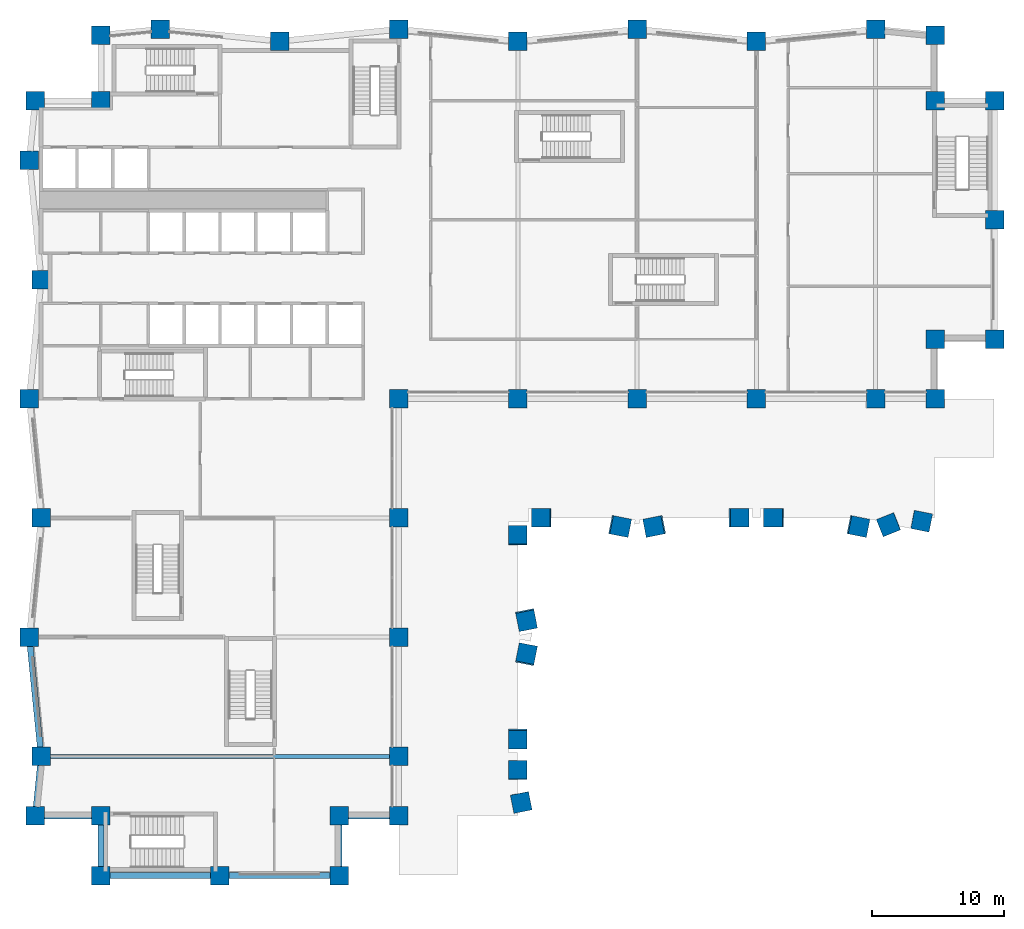
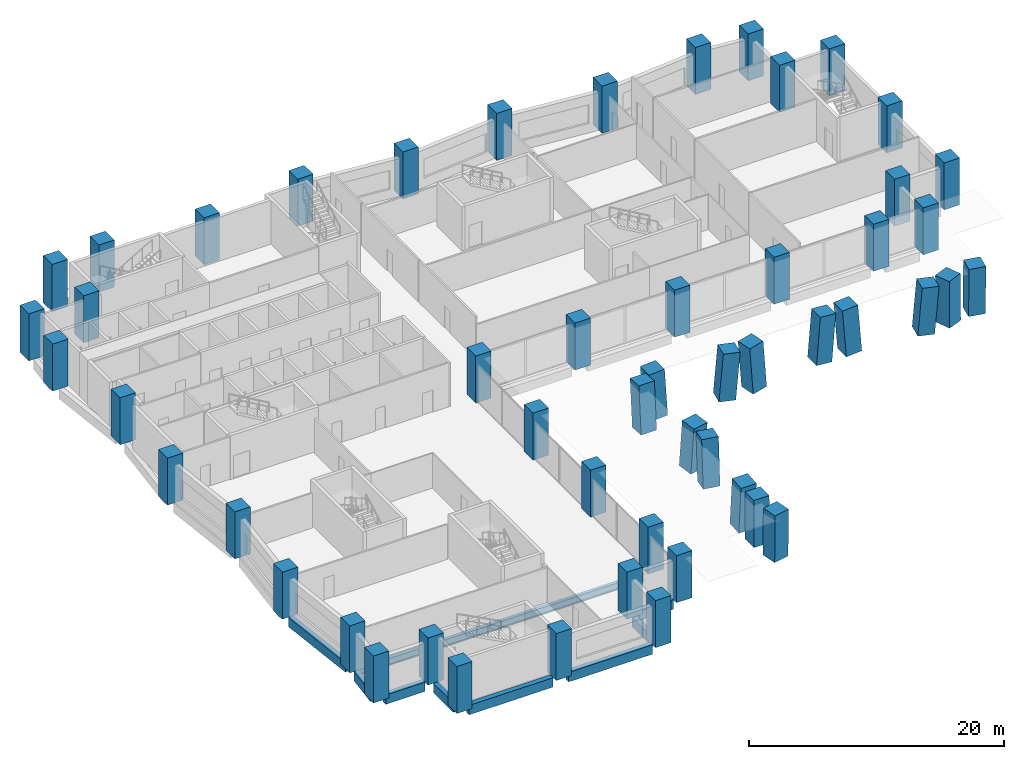
# One storey, part 1 of 18: 52 columns, 9 beams.
"""IFC4 building model written with IfcOpenShell, lengths in metres."""

from ifc_helpers import new_model, si_unit, direction, frame, origin, origin_2d, place, context, subcontext, project, spatial, rectangle, i_section, extrude, material, material_profile, profile_set, type_object, element, save


model = new_model("IFC4")

# Units and contexts
model_context = context("Model", 3, precision=1e-05, world=origin(), true_north=direction((0.0, 1.0)))
body_context = subcontext(model_context, "Body", "Model", "MODEL_VIEW")
ifc_project = project(units=[si_unit("LENGTHUNIT", "METRE"), si_unit("AREAUNIT", "SQUARE_METRE"), si_unit("VOLUMEUNIT", "CUBIC_METRE"), si_unit("PLANEANGLEUNIT", "RADIAN"), si_unit("MASSUNIT", "GRAM", prefix="KILO")], contexts=[model_context])

# Site, building, storey
site_placement = place(None, origin())
site = spatial("IfcSite", under=ifc_project, at=site_placement, CompositionType="ELEMENT")
building_placement = place(site_placement, origin())
building = spatial("IfcBuilding", under=site, at=building_placement, Name="Brondeck Convention Tower", CompositionType="ELEMENT")
storey_placement = place(building_placement, frame((0.0, 0.0, 27.5)))
storey = spatial("IfcBuildingStorey", under=building, at=storey_placement, Name="L04", CompositionType="ELEMENT", Elevation=27.5)

# Columns
ifc_material_1 = material(Name="Concrete C80/95", Category="concrete")
ifc_material_profile_1 = material_profile(ifc_material_1, rectangle(XDim=1.39990234375, YDim=1.39990234375, at=origin_2d()), Name="Mega column 1400x1400 Concrete C80/95")
ifc_profile_set_1 = profile_set([ifc_material_profile_1], Name="Concrete C80/95")
column_type_1 = type_object("IfcColumnType", Name="Mega column 1400x1400 Concrete C80/95", PredefinedType="COLUMN", material=ifc_profile_set_1)
for number, where, z_axis, x_axis, name in (
    (1, (4.5, 0.0, 0.0), (0.0, 0.0, 1.0), (1.0, 0.0, 0.0), "STR-COL-L04-BC-B-S-01"),
    (2, (13.5, 0.0, 0.0), (0.0, 0.0, 1.0), (1.0, 0.0, 0.0), "STR-COL-L04-BC-B-S-02"),
    (3, (22.5, 0.0, 0.0), (0.0, 0.0, 1.0), (1.0, 0.0, 0.0), "STR-COL-L04-BC-B-S-03"),
    (4, (27.0, 4.5, 0.0), (0.0, 0.0, 1.0), (1.0, 0.0, 0.0), "STR-COL-L04-BC-B-E-07"),
    (5, (27.0, 9.0, 0.0), (0.0, 0.0, 1.0), (1.0, 0.0, 0.0), "STR-COL-L04-BC-B-E-06"),
    (6, (27.0, 18.0, 0.0), (0.0, 0.0, 1.0), (1.0, 0.0, 0.0), "STR-COL-L04-BC-B-E-04"),
    (7, (27.0, 27.0, 0.0), (0.0, 0.0, 1.0), (1.0, 0.0, 0.0), "STR-COL-L04-BC-B-E-02"),
    (8, (27.0, 36.0, 0.0), (0.0, 0.0, 1.0), (1.0, 0.0, 0.0), "STR-COL-L04-BC-B-E-00"),
    (9, (36.0, 36.0, 0.0), (0.0, 0.0, 1.0), (1.0, 0.0, 0.0), "STR-COL-L04-BC-A-S-02"),
    (10, (45.0, 36.0, 0.0), (0.0, 0.0, 1.0), (1.0, 0.0, 0.0), "STR-COL-L04-BC-A-S-04"),
    (11, (54.0, 36.0, 0.0), (0.0, 0.0, 1.0), (1.0, 0.0, 0.0), "STR-COL-L04-BC-A-S-06"),
    (12, (63.0, 36.0, 0.0), (0.0, 0.0, 1.0), (1.0, 0.0, 0.0), "STR-COL-L04-BC-A-S-08"),
    (13, (67.5, 36.0, 0.0), (0.0, 0.0, 1.0), (1.0, 0.0, 0.0), "STR-COL-L04-BC-A-S-09"),
    (14, (72.0, 40.5, 0.0), (0.0, 0.0, 1.0), (1.0, 0.0, 0.0), "STR-COL-L04-BC-A-E-01"),
    (15, (72.0, 49.5, 0.0), (0.0, 0.0, 1.0), (1.0, 0.0, 0.0), "STR-COL-L04-BC-A-E-02"),
    (16, (72.0, 58.5, 0.0), (0.0, 0.0, 1.0), (1.0, 0.0, 0.0), "STR-COL-L04-BC-A-E-03"),
    (17, (67.5, 63.449951171875, 0.0), (0.0, 0.0, 1.0), (1.0, 0.0, 0.0), "STR-COL-L04-BC-A-N-15"),
    (18, (63.0, 63.89990234375, 0.0), (0.0, 0.0, 1.0), (1.0, 0.0, 0.0), "STR-COL-L04-BC-A-N-14"),
    (19, (54.0, 63.0, 0.0), (0.0, 0.0, 1.0), (1.0, 0.0, 0.0), "STR-COL-L04-BC-A-N-12"),
    (20, (45.0, 63.89990234375, 0.0), (0.0, 0.0, 1.0), (1.0, 0.0, 0.0), "STR-COL-L04-BC-A-N-10"),
    (21, (36.0, 63.0, 0.0), (0.0, 0.0, 1.0), (1.0, 0.0, 0.0), "STR-COL-L04-BC-A-N-08"),
    (22, (27.0, 63.89990234375, 0.0), (0.0, 0.0, 1.0), (1.0, 0.0, 0.0), "STR-COL-L04-BC-A-N-06"),
    (23, (18.0, 63.0, 0.0), (0.0, 0.0, 1.0), (1.0, 0.0, 0.0), "STR-COL-L04-BC-A-N-04"),
    (24, (9.0, 63.89990234375, 0.0), (0.0, 0.0, 1.0), (1.0, 0.0, 0.0), "STR-COL-L04-BC-A-N-02"),
    (25, (4.5, 63.449951171875, 0.0), (0.0, 0.0, 1.0), (1.0, 0.0, 0.0), "STR-COL-L04-BC-A-N-01"),
    (26, (-0.449951171875, 58.5, 0.0), (0.0, 0.0, 1.0), (1.0, 0.0, 0.0), "STR-COL-L04-BC-B-W-01"),
    (27, (-0.89990234375, 54.0, 0.0), (0.0, 0.0, 1.0), (1.0, 0.0, 0.0), "STR-COL-L04-BC-B-W-02"),
    (28, (0.0, 45.0, 0.0), (0.0, 0.0, 1.0), (1.0, 0.0, 0.0), "STR-COL-L04-BC-B-W-04"),
    (29, (-0.89990234375, 36.0, 0.0), (0.0, 0.0, 1.0), (1.0, 0.0, 0.0), "STR-COL-L04-BC-B-W-06"),
    (30, (0.0, 27.0, 0.0), (0.0, 0.0, 1.0), (1.0, 0.0, 0.0), "STR-COL-L04-BC-B-W-08"),
    (31, (-0.89990234375, 18.0, 0.0), (0.0, 0.0, 1.0), (1.0, 0.0, 0.0), "STR-COL-L04-BC-B-W-10"),
    (32, (0.0, 9.0, 0.0), (0.0, 0.0, 1.0), (1.0, 0.0, 0.0), "STR-COL-L04-BC-B-W-12"),
    (33, (-0.449951171875, 4.5, 0.0), (0.0, 0.0, 1.0), (1.0, 0.0, 0.0), "STR-COL-L04-BC-B-W-13"),
    (34, (4.5, 4.5, 0.0), (0.0, 0.0, 1.0), (1.0, 0.0, 0.0), "STR-COL-L04-NC-SWB"),
    (35, (22.5, 4.5, 0.0), (0.0, 0.0, 1.0), (1.0, 0.0, 0.0), "STR-COL-L04-NC-SEB"),
    (36, (67.5, 40.5, 0.0), (0.0, 0.0, 1.0), (1.0, 0.0, 0.0), "STR-COL-L04-NC-SEA"),
    (37, (67.5, 58.5, 0.0), (0.0, 0.0, 1.0), (1.0, 0.0, 0.0), "STR-COL-L04-NC-NEA"),
    (38, (4.5, 58.5, 0.0), (0.0, 0.0, 1.0), (1.0, 0.0, 0.0), "STR-COL-L04-NC-NW"),
):
    element("IfcColumn", number, at=place(storey_placement, frame(where, z_axis=z_axis, x_axis=x_axis)), inside=storey, type_object=column_type_1, Name=name, PredefinedType="COLUMN", context=body_context, shape_type="SweptSolid", body=[
        extrude(rectangle(XDim=1.39990234375, YDim=1.39990234375, at=origin_2d()), origin(), (0.0, 0.0, 1.0), 4.5),
    ])
ifc_material_profile_2 = material_profile(ifc_material_1, rectangle(XDim=1.39990234375, YDim=1.39990234375, at=origin_2d()), Name="Raking V column 1400x1400 Concrete C80/95")
ifc_profile_set_2 = profile_set([ifc_material_profile_2], Name="Concrete C80/95")
column_type_2 = type_object("IfcColumnType", Name="Raking V column 1400x1400 Concrete C80/95", PredefinedType="COLUMN", material=ifc_profile_set_2)
column_1_placement = place(storey_placement, frame((37.78125, 27.0, 0.0), z_axis=(-0.062378286155, 0.0, 0.998052578483), x_axis=(0.0, -1.0, 0.0)))
element("IfcColumn", 39, at=column_1_placement, inside=storey, type_object=column_type_2, Name="STR-COL-L04-V-A-S-1-W", PredefinedType="COLUMN", context=body_context, shape_type="SweptSolid", body=[
    extrude(rectangle(XDim=1.39990234375, YDim=1.39990234375, at=origin_2d()), origin(), (0.0, 0.0, 1.0), 4.5087890625),
])
for number, where, z_axis, x_axis, name in (
    (40, (43.662353515625, 26.367431640625, 0.0), (0.079114113988, -0.015790376818, 0.996740498308), (0.195729404783, 0.980657942457, 0.0), "STR-COL-L04-V-A-S-1-E"),
    (41, (46.337646484375, 26.367431640625, 0.0), (-0.079114113988, -0.015790376818, 0.996740498308), (0.195729404783, -0.980657942457, 0.0), "STR-COL-L04-V-A-S-2-W"),
):
    element("IfcColumn", number, at=place(storey_placement, frame(where, z_axis=z_axis, x_axis=x_axis)), inside=storey, type_object=column_type_2, Name=name, PredefinedType="COLUMN", context=body_context, shape_type="SweptSolid", body=[
        extrude(rectangle(XDim=1.39990234375, YDim=1.39990234375, at=origin_2d()), origin(), (0.0, 0.0, 1.0), 4.5146484375),
    ])
for number, where, z_axis, x_axis, name in (
    (42, (52.6484375, 27.0, 0.0), (0.077887667293, 0.0, 0.996962141349), (0.0, 1.0, 0.0), "STR-COL-L04-V-A-S-2-E"),
    (43, (55.3515625, 27.0, 0.0), (-0.077887667293, 0.0, 0.996962141349), (0.0, -1.0, 0.0), "STR-COL-L04-V-A-S-3-W"),
):
    element("IfcColumn", number, at=place(storey_placement, frame(where, z_axis=z_axis, x_axis=x_axis)), inside=storey, type_object=column_type_2, Name=name, PredefinedType="COLUMN", context=body_context, shape_type="SweptSolid", body=[
        extrude(rectangle(XDim=1.39990234375, YDim=1.39990234375, at=origin_2d()), origin(), (0.0, 0.0, 1.0), 4.513671875),
    ])
column_2_placement = place(storey_placement, frame((61.662353515625, 26.367431640625, 0.0), z_axis=(0.079114113988, -0.015790376818, 0.996740498308), x_axis=(0.195729404783, 0.980657942457, 0.0)))
element("IfcColumn", 44, at=column_2_placement, inside=storey, type_object=column_type_2, Name="STR-COL-L04-V-A-S-3-E", PredefinedType="COLUMN", context=body_context, shape_type="SweptSolid", body=[
    extrude(rectangle(XDim=1.39990234375, YDim=1.39990234375, at=origin_2d()), origin(), (0.0, 0.0, 1.0), 4.5146484375),
])
column_3_placement = place(storey_placement, frame((63.983642578125, 26.493408203125, 0.0), z_axis=(-0.012260217021, -0.004882387309, 0.999912920895), x_axis=(0.36997272351, -0.929042616815, 0.0)))
element("IfcColumn", 45, at=column_3_placement, inside=storey, type_object=column_type_2, Name="STR-COL-L04-V-A-S-4-W", PredefinedType="COLUMN", context=body_context, shape_type="SweptSolid", body=[
    extrude(rectangle(XDim=1.39990234375, YDim=1.39990234375, at=origin_2d()), origin(), (0.0, 0.0, 1.0), 4.50048828125),
])
column_4_placement = place(storey_placement, frame((66.478759765625, 26.754150390625, 0.0), z_axis=(0.009059943485, -0.001790288234, 0.999957355237), x_axis=(0.19385621806, 0.981029951999, 0.0)))
element("IfcColumn", 46, at=column_4_placement, inside=storey, type_object=column_type_2, Name="STR-COL-L04-V-A-S-4-E", PredefinedType="COLUMN", context=body_context, shape_type="SweptSolid", body=[
    extrude(rectangle(XDim=1.39990234375, YDim=1.39990234375, at=origin_2d()), origin(), (0.0, 0.0, 1.0), 4.500244140625),
])
column_5_placement = place(storey_placement, frame((36.0, 25.6484375, 0.0), z_axis=(0.0, 0.077887667293, 0.996962141349), x_axis=(-1.0, 0.0, 0.0)))
element("IfcColumn", 47, at=column_5_placement, inside=storey, type_object=column_type_2, Name="STR-COL-L04-V-B-E-1-W", PredefinedType="COLUMN", context=body_context, shape_type="SweptSolid", body=[
    extrude(rectangle(XDim=1.39990234375, YDim=1.39990234375, at=origin_2d()), origin(), (0.0, 0.0, 1.0), 4.513671875),
])
for number, where, z_axis, x_axis, name in (
    (48, (36.632568359375, 19.337646484375, 0.0), (0.015790376818, -0.079114113988, 0.996740498308), (0.980657942457, 0.195729404783, 0.0), "STR-COL-L04-V-B-E-1-E"),
    (49, (36.632568359375, 16.662353515625, 0.0), (0.015790376818, 0.079114113988, 0.996740498308), (-0.980657942457, 0.195729404783, 0.0), "STR-COL-L04-V-B-E-2-W"),
):
    element("IfcColumn", number, at=place(storey_placement, frame(where, z_axis=z_axis, x_axis=x_axis)), inside=storey, type_object=column_type_2, Name=name, PredefinedType="COLUMN", context=body_context, shape_type="SweptSolid", body=[
        extrude(rectangle(XDim=1.39990234375, YDim=1.39990234375, at=origin_2d()), origin(), (0.0, 0.0, 1.0), 4.5146484375),
    ])
column_6_placement = place(storey_placement, frame((36.0, 10.3515625, 0.0), z_axis=(0.0, -0.077887667293, 0.996962141349), x_axis=(1.0, 0.0, 0.0)))
element("IfcColumn", 50, at=column_6_placement, inside=storey, type_object=column_type_2, Name="STR-COL-L04-V-B-E-2-E", PredefinedType="COLUMN", context=body_context, shape_type="SweptSolid", body=[
    extrude(rectangle(XDim=1.39990234375, YDim=1.39990234375, at=origin_2d()), origin(), (0.0, 0.0, 1.0), 4.513671875),
])
for number, where, z_axis, x_axis, name in (
    (51, (36.0, 7.96484375, 0.0), (0.0, 0.007812261592, 0.999969483819), (-1.0, 0.0, 0.0), "STR-COL-L04-V-B-E-3-W"),
    (52, (36.245849609375, 5.521240234375, 0.0), (0.001790288234, -0.009059943485, 0.999957355237), (0.981029951999, 0.19385621806, 0.0), "STR-COL-L04-V-B-E-3-E"),
):
    element("IfcColumn", number, at=place(storey_placement, frame(where, z_axis=z_axis, x_axis=x_axis)), inside=storey, type_object=column_type_2, Name=name, PredefinedType="COLUMN", context=body_context, shape_type="SweptSolid", body=[
        extrude(rectangle(XDim=1.39990234375, YDim=1.39990234375, at=origin_2d()), origin(), (0.0, 0.0, 1.0), 4.500244140625),
    ])

# Beams
ifc_material_profile_3 = material_profile(ifc_material_1, rectangle(XDim=0.449951171875, YDim=0.89990234375, at=origin_2d()), Name="Edge beam 450x900 Concrete C80/95")
ifc_profile_set_3 = profile_set([ifc_material_profile_3], Name="Concrete C80/95")
beam_type_1 = type_object("IfcBeamType", Name="Edge beam 450x900 Concrete C80/95", PredefinedType="BEAM", material=ifc_profile_set_3)
for number, where, z_axis, x_axis, name in (
    (53, (5.199951171875, 0.0, -0.449951171875), (1.0, 0.0, 0.0), (0.0, 1.0, 0.0), "STR-SP-L04-001"),
    (54, (14.199951171875, 0.0, -0.449951171875), (1.0, 0.0, 0.0), (0.0, 1.0, 0.0), "STR-SP-L04-002"),
):
    element("IfcBeam", number, at=place(storey_placement, frame(where, z_axis=z_axis, x_axis=x_axis)), inside=storey, type_object=beam_type_1, Name=name, PredefinedType="BEAM", context=body_context, shape_type="SweptSolid", body=[
        extrude(rectangle(XDim=0.449951171875, YDim=0.89990234375, at=origin_2d()), origin(), (0.0, 0.0, 1.0), 7.60009765625),
    ])
for number, where, z_axis, x_axis, name in (
    (55, (22.5, 0.699951171875, -0.449951171875), (0.0, 1.0, 0.0), (-1.0, 0.0, 0.0), "STR-SP-L04-003"),
    (56, (23.199951171875, 4.5, -0.449951171875), (1.0, 0.0, 0.0), (0.0, 1.0, 0.0), "STR-SP-L04-004"),
):
    element("IfcBeam", number, at=place(storey_placement, frame(where, z_axis=z_axis, x_axis=x_axis)), inside=storey, type_object=beam_type_1, Name=name, PredefinedType="BEAM", context=body_context, shape_type="SweptSolid", body=[
        extrude(rectangle(XDim=0.449951171875, YDim=0.89990234375, at=origin_2d()), origin(), (0.0, 0.0, 1.0), 3.10009765625),
    ])
beam_1_placement = place(storey_placement, frame((-0.830078125, 17.300048828125, -0.449951171875), z_axis=(0.099503719021, -0.99503719021, 0.0), x_axis=(0.99503719021, 0.099503719021, 0.0)))
element("IfcBeam", 57, at=beam_1_placement, inside=storey, type_object=beam_type_1, Name="STR-SP-L04-035", PredefinedType="BEAM", context=body_context, shape_type="SweptSolid", body=[
    extrude(rectangle(XDim=0.449951171875, YDim=0.89990234375, at=origin_2d()), origin(), (0.0, 0.0, 1.0), 7.637939453125),
])
beam_2_placement = place(storey_placement, frame((-0.070068359375, 8.300048828125, -0.449951171875), z_axis=(-0.099441649747, -0.995043395182, 0.0), x_axis=(0.995043395182, -0.099441649747, 0.0)))
element("IfcBeam", 58, at=beam_2_placement, inside=storey, type_object=beam_type_1, Name="STR-SP-L04-036", PredefinedType="BEAM", context=body_context, shape_type="SweptSolid", body=[
    extrude(rectangle(XDim=0.449951171875, YDim=0.89990234375, at=origin_2d()), origin(), (0.0, 0.0, 1.0), 3.115478515625),
])
beam_3_placement = place(storey_placement, frame((0.25, 4.5, -0.449951171875), z_axis=(1.0, 0.0, 0.0), x_axis=(0.0, 1.0, 0.0)))
element("IfcBeam", 59, at=beam_3_placement, inside=storey, type_object=beam_type_1, Name="STR-SP-L04-037", PredefinedType="BEAM", context=body_context, shape_type="SweptSolid", body=[
    extrude(rectangle(XDim=0.449951171875, YDim=0.89990234375, at=origin_2d()), origin(), (0.0, 0.0, 1.0), 3.550048828125),
])
beam_4_placement = place(storey_placement, frame((4.5, 3.800048828125, -0.449951171875), z_axis=(0.0, -1.0, 0.0), x_axis=(1.0, 0.0, 0.0)))
element("IfcBeam", 60, at=beam_4_placement, inside=storey, type_object=beam_type_1, Name="STR-SP-L04-038", PredefinedType="BEAM", context=body_context, shape_type="SweptSolid", body=[
    extrude(rectangle(XDim=0.449951171875, YDim=0.89990234375, at=origin_2d()), origin(), (0.0, 0.0, 1.0), 3.10009765625),
])
ifc_material_2 = material(Name="Steel S355", Category="steel")
ifc_material_profile_4 = material_profile(ifc_material_2, i_section(OverallWidth=0.300048828125, OverallDepth=0.699951171875, WebThickness=0.01708984375, FlangeThickness=0.031982421875, FilletRadius=0.027099609375, at=origin_2d()), Name="HEB 700")
ifc_profile_set_4 = profile_set([ifc_material_profile_4], Name="Steel S355")
beam_type_2 = type_object("IfcBeamType", Name="Girder HEB 700", PredefinedType="BEAM", material=ifc_profile_set_4)
beam_5_placement = place(storey_placement, frame((0.699951171875, 9.0, -0.64990234375), z_axis=(1.0, 0.0, 0.0), x_axis=(0.0, 1.0, 0.0)))
element("IfcBeam", 61, at=beam_5_placement, inside=storey, type_object=beam_type_2, Name="STR-GR-L04-007", PredefinedType="BEAM", context=body_context, shape_type="SweptSolid", body=[
    extrude(i_section(OverallWidth=0.300048828125, OverallDepth=0.699951171875, WebThickness=0.01708984375, FlangeThickness=0.031982421875, FilletRadius=0.027099609375, at=origin_2d()), origin(), (0.0, 0.0, 1.0), 25.60009765625),
])

save(model, "model.ifc")
